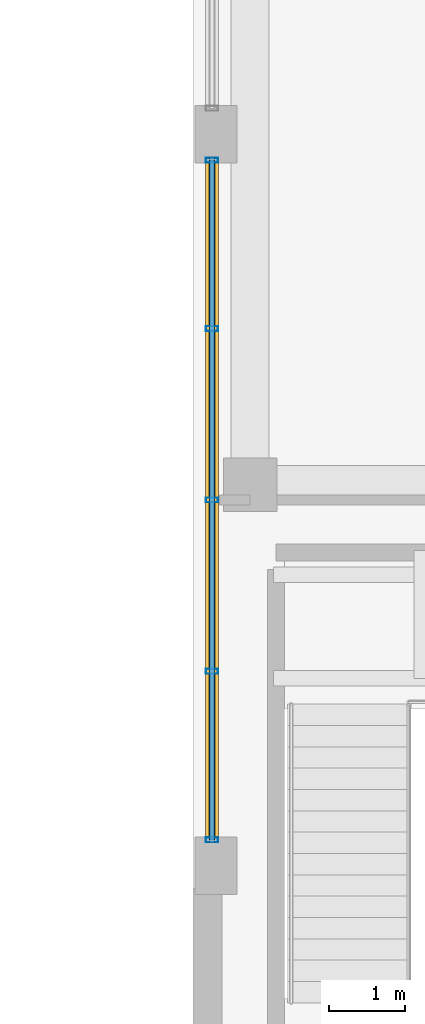
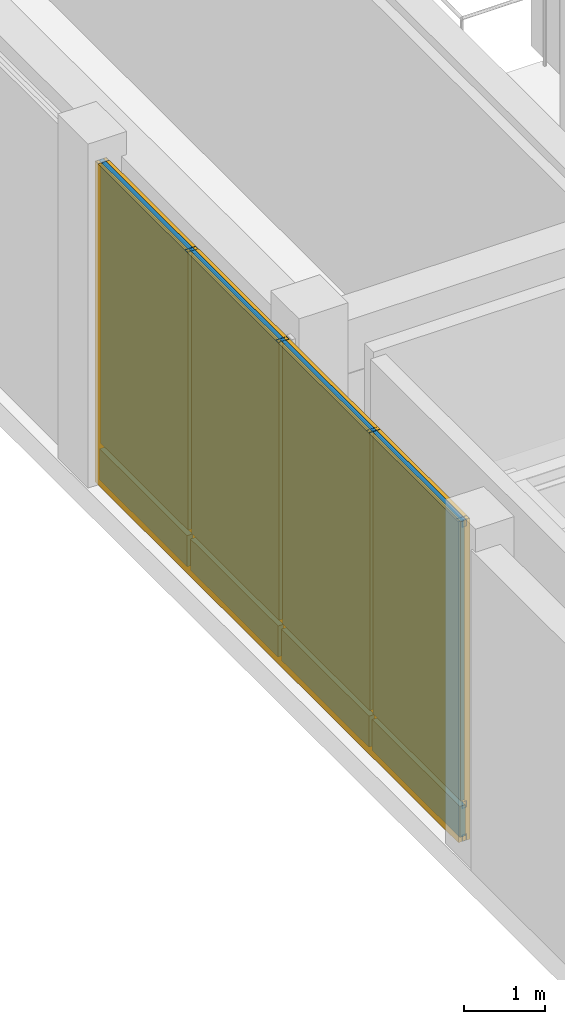
# One storey, part 13 of 22: 8 members, 8 plates, 1 curtain wall.
"""IFC4 building model written with IfcOpenShell, lengths in metres."""

from ifc_helpers import new_model, si_unit, direction, frame, frame_2d, origin, origin_2d, place, context, subcontext, project, spatial, rectangle, hollow_rectangle, extrude, material, layer, layer_set, material_profile, profile_set, type_object, element, aggregate, save


model = new_model("IFC4")

# Units and contexts
model_context = context("Model", 3, precision=1e-05, world=origin(), true_north=direction((0.0, 1.0)))
body_context = subcontext(model_context, "Body", "Model", "MODEL_VIEW")
ifc_project = project(units=[si_unit("LENGTHUNIT", "METRE"), si_unit("AREAUNIT", "SQUARE_METRE"), si_unit("VOLUMEUNIT", "CUBIC_METRE"), si_unit("PLANEANGLEUNIT", "RADIAN"), si_unit("MASSUNIT", "GRAM", prefix="KILO")], contexts=[model_context])

# Member
ifc_material_1 = material(Name="Anodized Aluminium 6063-T6", Category="aluminium")
ifc_material_profile_1 = material_profile(ifc_material_1, hollow_rectangle(XDim=0.06494140625, YDim=0.159912109375, WallThickness=0.00390625, at=origin_2d()), Name="Anodized Aluminium 6063-T6")
ifc_profile_set_1 = profile_set([ifc_material_profile_1], Name="Anodized Aluminium 6063-T6")
member_type_1 = type_object("IfcMemberType", Name="Curtain Wall Mullion 160", PredefinedType="MULLION", material=ifc_profile_set_1)
site_placement = place(None, origin())
building_placement = place(site_placement, origin())
storey_placement = place(building_placement, frame((0.0, 0.0, 5.199951171875)))
member_1_placement = place(storey_placement, frame((85.449951171875, 5.139892578125, 0.0), z_axis=(0.0, 0.0, 1.0), x_axis=(0.0, 1.0, 0.0)))
member_1 = element("IfcMember", 1, at=member_1_placement, type_object=member_type_1, Name="Curtain Wall Mullion CW-L01-LCOL-1-M01", PredefinedType="MULLION", context=body_context, shape_type="SweptSolid", body=[
    extrude(hollow_rectangle(XDim=0.06494140625, YDim=0.159912109375, WallThickness=0.00390625, at=origin_2d()), origin(), (0.0, 0.0, 1.0), 4.85009765625),
])

member_2_placement = place(storey_placement, frame((85.449951171875, 7.35009765625, 0.0), z_axis=(0.0, 0.0, 1.0), x_axis=(0.0, 1.0, 0.0)))
member_2 = element("IfcMember", 2, at=member_2_placement, type_object=member_type_1, Name="Curtain Wall Mullion CW-L01-LCOL-1-M02", PredefinedType="MULLION", context=body_context, shape_type="SweptSolid", body=[
    extrude(hollow_rectangle(XDim=0.06494140625, YDim=0.159912109375, WallThickness=0.00390625, at=origin_2d()), origin(), (0.0, 0.0, 1.0), 4.85009765625),
])

member_3_placement = place(storey_placement, frame((85.449951171875, 9.60009765625, 0.0), z_axis=(0.0, 0.0, 1.0), x_axis=(0.0, 1.0, 0.0)))
member_3 = element("IfcMember", 3, at=member_3_placement, type_object=member_type_1, Name="Curtain Wall Mullion CW-L01-LCOL-1-M03", PredefinedType="MULLION", context=body_context, shape_type="SweptSolid", body=[
    extrude(hollow_rectangle(XDim=0.06494140625, YDim=0.159912109375, WallThickness=0.00390625, at=origin_2d()), origin(), (0.0, 0.0, 1.0), 4.85009765625),
])

member_4_placement = place(storey_placement, frame((85.449951171875, 11.85009765625, 0.0), z_axis=(0.0, 0.0, 1.0), x_axis=(0.0, 1.0, 0.0)))
member_4 = element("IfcMember", 4, at=member_4_placement, type_object=member_type_1, Name="Curtain Wall Mullion CW-L01-LCOL-1-M04", PredefinedType="MULLION", context=body_context, shape_type="SweptSolid", body=[
    extrude(hollow_rectangle(XDim=0.06494140625, YDim=0.159912109375, WallThickness=0.00390625, at=origin_2d()), origin(), (0.0, 0.0, 1.0), 4.85009765625),
])

member_5_placement = place(storey_placement, frame((85.449951171875, 14.06005859375, 0.0), z_axis=(0.0, 0.0, 1.0), x_axis=(0.0, 1.0, 0.0)))
member_5 = element("IfcMember", 5, at=member_5_placement, type_object=member_type_1, Name="Curtain Wall Mullion CW-L01-LCOL-1-M05", PredefinedType="MULLION", context=body_context, shape_type="SweptSolid", body=[
    extrude(hollow_rectangle(XDim=0.06494140625, YDim=0.159912109375, WallThickness=0.00390625, at=origin_2d()), origin(), (0.0, 0.0, 1.0), 4.85009765625),
])

ifc_material_profile_2 = material_profile(ifc_material_1, hollow_rectangle(XDim=0.06005859375, YDim=0.10009765625, WallThickness=0.0029296875, at=origin_2d()), Name="Anodized Aluminium 6063-T6")
ifc_profile_set_2 = profile_set([ifc_material_profile_2], Name="Anodized Aluminium 6063-T6")
member_type_2 = type_object("IfcMemberType", Name="Curtain Wall Transom 100", PredefinedType="USERDEFINED", material=ifc_profile_set_2)
member_6_placement = place(storey_placement, frame((85.449951171875, 5.10009765625, 0.050048828125), z_axis=(0.0, 1.0, 0.0), x_axis=(-1.0, 0.0, 0.0)))
member_6 = element("IfcMember", 6, at=member_6_placement, type_object=member_type_2, Name="Curtain Wall Transom CW-L01-LCOL-1-T01", ObjectType="TRANSOM", PredefinedType="USERDEFINED", context=body_context, shape_type="SweptSolid", body=[
    extrude(hollow_rectangle(XDim=0.06005859375, YDim=0.10009765625, WallThickness=0.0029296875, at=origin_2d()), origin(), (0.0, 0.0, 1.0), 9.0),
])

member_7_placement = place(storey_placement, frame((85.449951171875, 5.10009765625, 0.550048828125), z_axis=(0.0, 1.0, 0.0), x_axis=(-1.0, 0.0, 0.0)))
member_7 = element("IfcMember", 7, at=member_7_placement, type_object=member_type_2, Name="Curtain Wall Transom CW-L01-LCOL-1-T02", ObjectType="TRANSOM", PredefinedType="USERDEFINED", context=body_context, shape_type="SweptSolid", body=[
    extrude(hollow_rectangle(XDim=0.06005859375, YDim=0.10009765625, WallThickness=0.0029296875, at=origin_2d()), origin(), (0.0, 0.0, 1.0), 9.0),
])

member_8_placement = place(storey_placement, frame((85.449951171875, 5.10009765625, 4.800048828125), z_axis=(0.0, 1.0, 0.0), x_axis=(-1.0, 0.0, 0.0)))
member_8 = element("IfcMember", 8, at=member_8_placement, type_object=member_type_2, Name="Curtain Wall Transom CW-L01-LCOL-1-T03", ObjectType="TRANSOM", PredefinedType="USERDEFINED", context=body_context, shape_type="SweptSolid", body=[
    extrude(hollow_rectangle(XDim=0.06005859375, YDim=0.10009765625, WallThickness=0.0029296875, at=origin_2d()), origin(), (0.0, 0.0, 1.0), 9.0),
])

# Plate
ifc_material_2 = material(Name="Bird-Friendly Fritted Triple Glazing", Category="glass")
ifc_layer_1 = layer(ifc_material_2, 0.052001953125, Name="Bird-Friendly Fritted Triple Glazing")
ifc_layer_set_1 = layer_set([ifc_layer_1], Name="Bird-Friendly Fritted Triple Glazing")
plate_type_1 = type_object("IfcPlateType", Name="Plate CWGlazing 52", PredefinedType="CURTAIN_PANEL", material=ifc_layer_set_1)
plate_1_placement = place(storey_placement, frame((85.449951171875, 6.22509765625, 0.58984375), z_axis=(0.0, 0.0, 1.0), x_axis=(0.0, 1.0, 0.0)))
plate_1 = element("IfcPlate", 9, at=plate_1_placement, type_object=plate_type_1, Name="Vision Glazing Panel CW-L01-LCOL-1-GL01", PredefinedType="CURTAIN_PANEL", context=body_context, shape_type="SweptSolid", body=[
    extrude(rectangle(XDim=2.169921875, YDim=0.052001953125, at=origin_2d()), origin(), (0.0, 0.0, 1.0), 4.219970703125),
])

plate_2_placement = place(storey_placement, frame((85.449951171875, 8.47509765625, 0.58984375), z_axis=(0.0, 0.0, 1.0), x_axis=(0.0, 1.0, 0.0)))
plate_2 = element("IfcPlate", 10, at=plate_2_placement, type_object=plate_type_1, Name="Vision Glazing Panel CW-L01-LCOL-1-GL02", PredefinedType="CURTAIN_PANEL", context=body_context, shape_type="SweptSolid", body=[
    extrude(rectangle(XDim=2.169921875, YDim=0.052001953125, at=origin_2d()), origin(), (0.0, 0.0, 1.0), 4.219970703125),
])

plate_3_placement = place(storey_placement, frame((85.449951171875, 10.72509765625, 0.58984375), z_axis=(0.0, 0.0, 1.0), x_axis=(0.0, 1.0, 0.0)))
plate_3 = element("IfcPlate", 11, at=plate_3_placement, type_object=plate_type_1, Name="Vision Glazing Panel CW-L01-LCOL-1-GL03", PredefinedType="CURTAIN_PANEL", context=body_context, shape_type="SweptSolid", body=[
    extrude(rectangle(XDim=2.169921875, YDim=0.052001953125, at=origin_2d()), origin(), (0.0, 0.0, 1.0), 4.219970703125),
])

plate_4_placement = place(storey_placement, frame((85.449951171875, 12.97509765625, 0.58984375), z_axis=(0.0, 0.0, 1.0), x_axis=(0.0, 1.0, 0.0)))
plate_4 = element("IfcPlate", 12, at=plate_4_placement, type_object=plate_type_1, Name="Vision Glazing Panel CW-L01-LCOL-1-GL04", PredefinedType="CURTAIN_PANEL", context=body_context, shape_type="SweptSolid", body=[
    extrude(rectangle(XDim=2.169921875, YDim=0.052001953125, at=origin_2d()), origin(), (0.0, 0.0, 1.0), 4.219970703125),
])

ifc_material_3 = material(Name="Insulated Aluminium Spandrel Panel", Category="aluminium")
ifc_layer_2 = layer(ifc_material_3, 0.080078125, Name="Insulated Aluminium Spandrel Panel")
ifc_layer_set_2 = layer_set([ifc_layer_2], Name="Insulated Aluminium Spandrel Panel")
plate_type_2 = type_object("IfcPlateType", Name="Plate CWSpandrel 80", PredefinedType="SHEET", material=ifc_layer_set_2)
plate_5_placement = place(storey_placement, frame((85.449951171875, 6.22509765625, 0.0400390625), z_axis=(0.0, 0.0, 1.0), x_axis=(0.0, 1.0, 0.0)))
plate_5 = element("IfcPlate", 13, at=plate_5_placement, type_object=plate_type_2, Name="Spandrel Panel CW-L01-LCOL-1-SP01", PredefinedType="SHEET", context=body_context, shape_type="SweptSolid", body=[
    extrude(rectangle(XDim=2.169921875, YDim=0.080078125, at=origin_2d()), origin(), (0.0, 0.0, 1.0), 0.469970703125),
])

plate_6_placement = place(storey_placement, frame((85.449951171875, 8.47509765625, 0.0400390625), z_axis=(0.0, 0.0, 1.0), x_axis=(0.0, 1.0, 0.0)))
plate_6 = element("IfcPlate", 14, at=plate_6_placement, type_object=plate_type_2, Name="Spandrel Panel CW-L01-LCOL-1-SP02", PredefinedType="SHEET", context=body_context, shape_type="SweptSolid", body=[
    extrude(rectangle(XDim=2.169921875, YDim=0.080078125, at=origin_2d()), origin(), (0.0, 0.0, 1.0), 0.469970703125),
])

plate_7_placement = place(storey_placement, frame((85.449951171875, 10.72509765625, 0.0400390625), z_axis=(0.0, 0.0, 1.0), x_axis=(0.0, 1.0, 0.0)))
plate_7 = element("IfcPlate", 15, at=plate_7_placement, type_object=plate_type_2, Name="Spandrel Panel CW-L01-LCOL-1-SP03", PredefinedType="SHEET", context=body_context, shape_type="SweptSolid", body=[
    extrude(rectangle(XDim=2.169921875, YDim=0.080078125, at=origin_2d()), origin(), (0.0, 0.0, 1.0), 0.469970703125),
])

plate_8_placement = place(storey_placement, frame((85.449951171875, 12.97509765625, 0.0400390625), z_axis=(0.0, 0.0, 1.0), x_axis=(0.0, 1.0, 0.0)))
plate_8 = element("IfcPlate", 16, at=plate_8_placement, type_object=plate_type_2, Name="Spandrel Panel CW-L01-LCOL-1-SP04", PredefinedType="SHEET", context=body_context, shape_type="SweptSolid", body=[
    extrude(rectangle(XDim=2.169921875, YDim=0.080078125, at=origin_2d()), origin(), (0.0, 0.0, 1.0), 0.469970703125),
])

# Site, building, storey
site = spatial("IfcSite", under=ifc_project, at=site_placement, CompositionType="ELEMENT")
building = spatial("IfcBuilding", under=site, at=building_placement, Name="Norrvale University Quadrangle", CompositionType="ELEMENT")
storey = spatial("IfcBuildingStorey", under=building, at=storey_placement, Name="L01", CompositionType="ELEMENT", Elevation=5.199951171875)

# Curtain wall
ifc_material_4 = material(Name="Anodized Aluminium and Triple Glazing", Category="glass")
curtain_wall_type = type_object("IfcCurtainWallType", Name="Curtain Wall System 5 Lib Colonnade", PredefinedType="NOTDEFINED", material=ifc_material_4)
curtain_wall_placement = place(storey_placement, frame((85.449951171875, 5.10009765625, 0.0), z_axis=(0.0, 0.0, 1.0), x_axis=(0.0, 1.0, 0.0)))
curtain_wall = element("IfcCurtainWall", 17, at=curtain_wall_placement, inside=storey, type_object=curtain_wall_type, Name="Curtain Wall CW System 5 Lib Colonnade CW-L01-LCOL-1", PredefinedType="NOTDEFINED", context=body_context, shape_type="SweptSolid", body=[
    extrude(rectangle(XDim=9.0, YDim=0.1650390625, at=frame_2d((4.5, 0.0))), origin(), (0.0, 0.0, 1.0), 4.85009765625),
])

aggregate(curtain_wall, [member_1, member_2, member_3, member_4, member_5, member_6, member_7, member_8, plate_5, plate_1, plate_6, plate_2, plate_7, plate_3, plate_8, plate_4])

save(model, "model.ifc")
